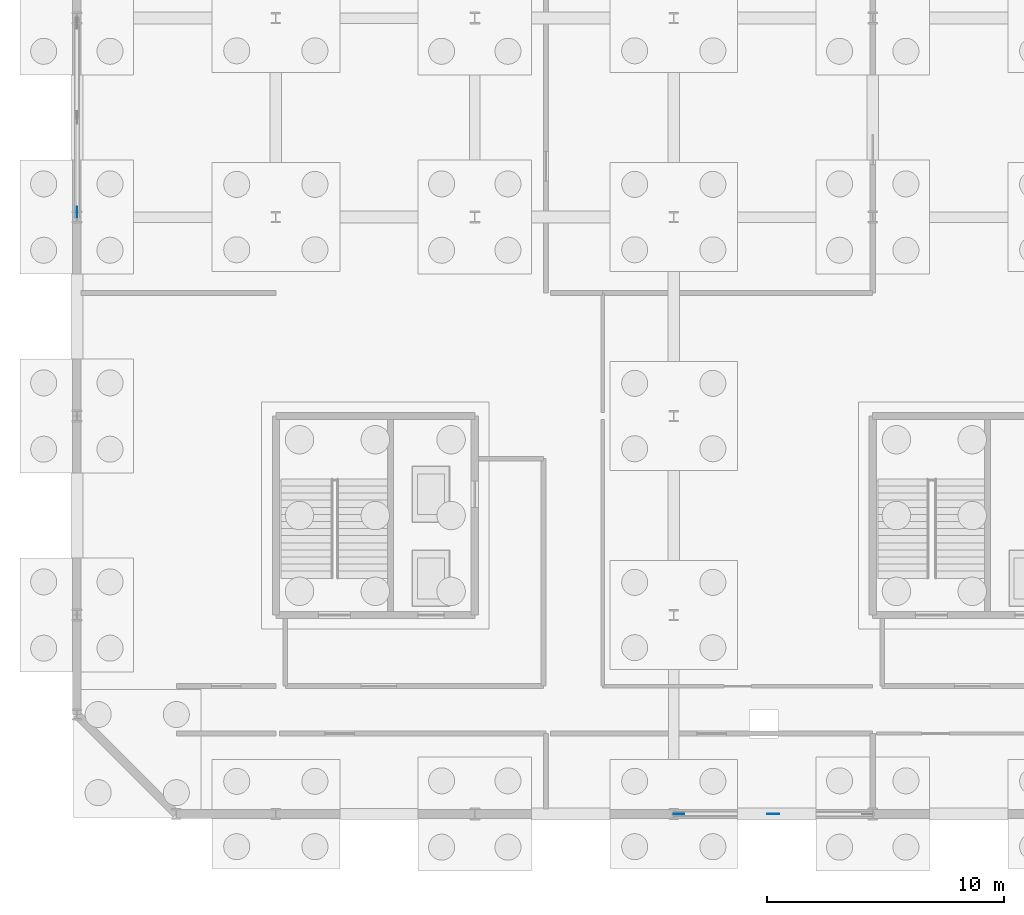
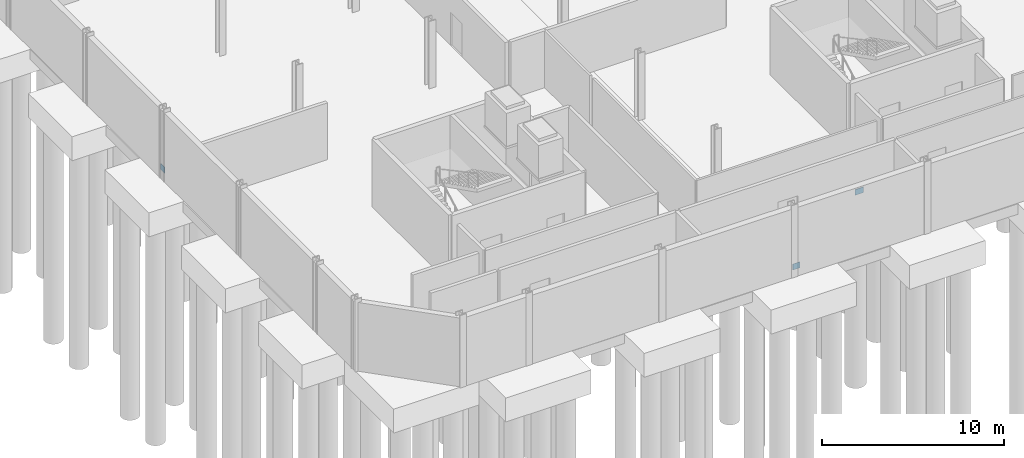
# One storey, part 39 of 51: 3 discrete accessories.
"""IFC4 building model written with IfcOpenShell, lengths in metres."""

from ifc_helpers import new_model, si_unit, direction, frame, origin, origin_2d, place, context, subcontext, project, spatial, rectangle, extrude, material, type_object, element, save


model = new_model("IFC4")

# Units and contexts
model_context = context("Model", 3, precision=1e-05, world=origin(), true_north=direction((0.0, 1.0)))
body_context = subcontext(model_context, "Body", "Model", "MODEL_VIEW")
ifc_project = project(units=[si_unit("LENGTHUNIT", "METRE"), si_unit("AREAUNIT", "SQUARE_METRE"), si_unit("VOLUMEUNIT", "CUBIC_METRE"), si_unit("PLANEANGLEUNIT", "RADIAN"), si_unit("MASSUNIT", "GRAM", prefix="KILO")], contexts=[model_context])

# Site, building, storey
site_placement = place(None, origin())
site = spatial("IfcSite", under=ifc_project, at=site_placement, CompositionType="ELEMENT")
building_placement = place(site_placement, origin())
building = spatial("IfcBuilding", under=site, at=building_placement, Name="Qalvenar Corner Mobility Hub", CompositionType="ELEMENT")
storey_placement = place(building_placement, frame((0.0, 0.0, -4.5)))
storey = spatial("IfcBuildingStorey", under=building, at=storey_placement, Name="B1", CompositionType="ELEMENT", Elevation=-4.5)

# Discrete accessories
ifc_material = material(Name="Steel S355", Category="steel")
discrete_accessory_type = type_object("IfcDiscreteAccessoryType", Name="ACC-GUSSET-PLT", PredefinedType="BRACKET", material=ifc_material)
discrete_accessory_placement = place(storey_placement, frame((29.39990234375, 0.0, 3.630126953125), z_axis=(0.0, 0.0, 1.0), x_axis=(1.0, 0.0, 0.0)))
element("IfcDiscreteAccessory", 1, at=discrete_accessory_placement, inside=storey, type_object=discrete_accessory_type, Name="Chevron Apex Gusset Plate GP-A-001", PredefinedType="BRACKET", context=body_context, shape_type="SweptSolid", body=[
    extrude(rectangle(XDim=0.52001953125, YDim=0.02490234375, at=origin_2d()), origin(), (0.0, 0.0, 1.0), 0.3798828125),
])
for number, where, z_axis, x_axis, name in (
    (2, (25.419921875, 0.0, 0.0), (0.0, 0.0, 1.0), (1.0, 0.0, 0.0), "Brace Base Gusset Plate GP-B-002"),
    (3, (0.0, 25.419921875, 0.0), (0.0, 0.0, 1.0), (0.0, 1.0, 0.0), "Brace Base Gusset Plate GP-B-017"),
):
    element("IfcDiscreteAccessory", number, at=place(storey_placement, frame(where, z_axis=z_axis, x_axis=x_axis)), inside=storey, type_object=discrete_accessory_type, Name=name, PredefinedType="BRACKET", context=body_context, shape_type="SweptSolid", body=[
        extrude(rectangle(XDim=0.449951171875, YDim=0.02490234375, at=origin_2d()), origin(), (0.0, 0.0, 1.0), 0.39990234375),
    ])

save(model, "model.ifc")
